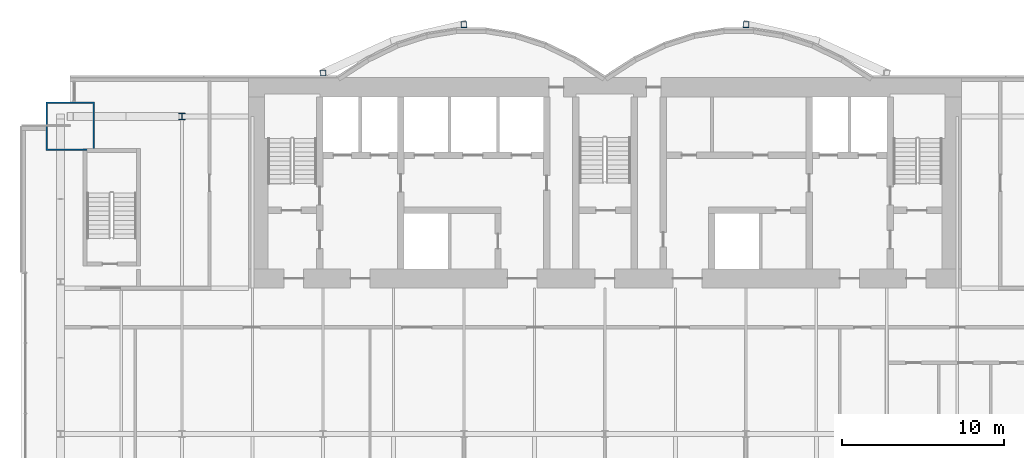
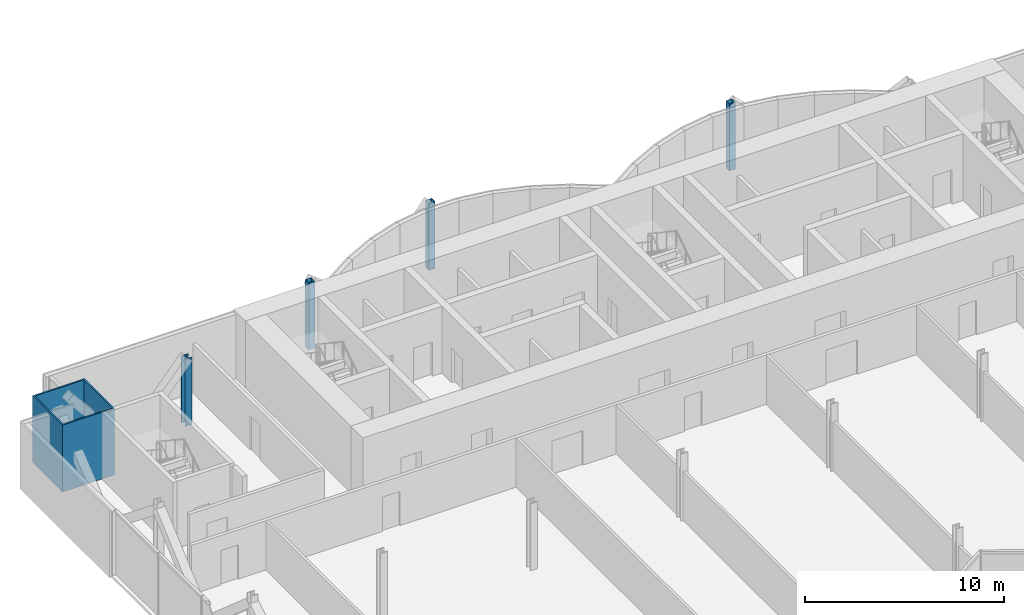
# One storey, part 2 of 21: 5 columns.
"""IFC4 building model written with IfcOpenShell, lengths in metres."""

import ifcopenshell
import ifcopenshell.guid

model = None  # the IFC model being written
_history = None  # IfcOwnerHistory: only IFC2X3 demands one
_inside = {}  # id of a spatial element -> (the spatial element, [elements in it])
_under = {}  # id of a project, library or spatial element -> (it, [spatial elements below it])
_declared = {}  # id of a project -> (the project, [libraries it declares])
_typed = {}  # id of a type object -> (the type object, [elements of that type])
_made_of = {}  # id of a material, layer set ... -> (it, [elements and type objects made of it])


def new_model(schema):
    """Start an empty IFC model of exactly this schema.

    Asked for "IFC4X3", IfcOpenShell would pick the latest addendum, in which some entities
    have other attributes; the version numbers below select the first issue.
    IFC2X3 requires an IfcOwnerHistory on every rooted entity: one is made here for all.
    """
    global model, _history
    if schema == "IFC4X3":
        model = ifcopenshell.file(schema_version=(4, 3, 0, 0))
    else:
        model = ifcopenshell.file(schema=schema)
    _inside.clear()
    _under.clear()
    _declared.clear()
    _typed.clear()
    _made_of.clear()
    _history = None
    if model.schema == "IFC2X3":
        org = make("IfcOrganization", Name="unknown")
        user = make(
            "IfcPersonAndOrganization",
            ThePerson=make("IfcPerson", FamilyName="unknown"),
            TheOrganization=org,
        )
        app = make(
            "IfcApplication",
            ApplicationDeveloper=org,
            Version="unknown",
            ApplicationFullName="unknown",
            ApplicationIdentifier="unknown",
        )
        _history = make(
            "IfcOwnerHistory",
            OwningUser=user,
            OwningApplication=app,
            ChangeAction="ADDED",
            CreationDate=0,
        )
    return model


def make(cls, **values):
    """One entity of the class cls with the attributes given. An attribute that is None is left unset."""
    return model.create_entity(
        cls, **{name: value for name, value in values.items() if value is not None}
    )


def rooted(cls, **values):
    """An entity with a GlobalId (a new one), such as an element, a storey or a relation."""
    return make(cls, GlobalId=ifcopenshell.guid.new(), OwnerHistory=_history, **values)


def si_unit(unit_type, name, prefix=None):
    """IfcSIUnit, for example si_unit("LENGTHUNIT", "METRE", prefix="MILLI")."""
    return make("IfcSIUnit", UnitType=unit_type, Prefix=prefix, Name=name)


def assignment(units):
    """IfcUnitAssignment: the units of a project."""
    return None if units is None else make("IfcUnitAssignment", Units=units)


def point(xyz):
    """IfcCartesianPoint."""
    return None if xyz is None else make("IfcCartesianPoint", Coordinates=xyz)


def direction(xyz):
    """IfcDirection."""
    return None if xyz is None else make("IfcDirection", DirectionRatios=xyz)


def frame(location, z_axis=None, x_axis=None):
    """IfcAxis2Placement3D, a coordinate frame: its origin and axes. An axis left out is left unset."""
    return make(
        "IfcAxis2Placement3D",
        Location=point(location),
        Axis=direction(z_axis),
        RefDirection=direction(x_axis),
    )


def frame_2d(location, x_axis=None):
    """IfcAxis2Placement2D, a coordinate frame in the plane: its origin and x axis."""
    return make(
        "IfcAxis2Placement2D", Location=point(location), RefDirection=direction(x_axis)
    )


def origin():
    """The frame at (0, 0, 0) with its axes left unset."""
    return frame((0.0, 0.0, 0.0))


def origin_2d():
    """The frame at (0, 0) in the plane with its x axis left unset."""
    return frame_2d((0.0, 0.0))


def place(relative_to, where):
    """IfcLocalPlacement: puts the frame where relative to a parent placement (None: the world)."""
    return make(
        "IfcLocalPlacement", PlacementRelTo=relative_to, RelativePlacement=where
    )


def context(
    kind, dimensions, precision=None, world=None, true_north=None, identifier=None
):
    """IfcGeometricRepresentationContext, for example the 3D "Model" context."""
    return make(
        "IfcGeometricRepresentationContext",
        ContextIdentifier=identifier,
        ContextType=kind,
        CoordinateSpaceDimension=dimensions,
        Precision=precision,
        WorldCoordinateSystem=world,
        TrueNorth=true_north,
    )


def subcontext(parent, identifier, kind, view, scale=None):
    """IfcGeometricRepresentationSubContext, for example "Body" below "Model"."""
    return make(
        "IfcGeometricRepresentationSubContext",
        ContextIdentifier=identifier,
        ContextType=kind,
        ParentContext=parent,
        TargetScale=scale,
        TargetView=view,
    )


def project(units=None, contexts=None):
    """IfcProject with its units and contexts."""
    return rooted(
        "IfcProject",
        Name="project",
        RepresentationContexts=contexts,
        UnitsInContext=assignment(units),
    )


def spatial(cls, under=None, at=None, **own):
    """A site, building, storey or space (cls), placed at a placement, below another one or the project."""
    s = rooted(cls, ObjectPlacement=at, **own)
    if under is not None:
        _under.setdefault(under.id(), (under, []))[1].append(s)
    return s


def profile(cls, at=None, kind="AREA", **sizes):
    """A parametric profile (cls). Its sizes go by their IFC names, for example OverallWidth=200.0."""
    return make(cls, ProfileType=kind, Position=at, **sizes)


def hollow_rectangle(**sizes):
    """IfcRectangleHollowProfileDef."""
    return profile("IfcRectangleHollowProfileDef", **sizes)


def i_section(**sizes):
    """IfcIShapeProfileDef."""
    return profile("IfcIShapeProfileDef", **sizes)


def extrude(swept, where, along, depth):
    """IfcExtrudedAreaSolid: the profile swept, set in the frame where, extruded along a direction by depth."""
    return make(
        "IfcExtrudedAreaSolid",
        SweptArea=swept,
        Position=where,
        ExtrudedDirection=direction(along),
        Depth=depth,
    )


def shape(context_of_items, identifier, shape_type, items):
    """IfcShapeRepresentation: the items that make up one representation, for example the "Body"."""
    return make(
        "IfcShapeRepresentation",
        ContextOfItems=context_of_items,
        RepresentationIdentifier=identifier,
        RepresentationType=shape_type,
        Items=items,
    )


def material(Name=None, Category=None):
    """IfcMaterial."""
    return make("IfcMaterial", Name=Name, Category=Category)


def material_profile(
    of_material, cross_section, Name=None, Category=None, Priority=None
):
    """IfcMaterialProfile: a cross section and its material."""
    return make(
        "IfcMaterialProfile",
        Name=Name,
        Material=of_material,
        Profile=cross_section,
        Priority=Priority,
        Category=Category,
    )


def profile_set(profiles, Name=None, composite=None):
    """IfcMaterialProfileSet."""
    return make(
        "IfcMaterialProfileSet",
        Name=Name,
        MaterialProfiles=profiles,
        CompositeProfile=composite,
    )


def made_of(thing, what):
    """Note that an element or type object is made of a material, layer set ...; save() writes the relation."""
    if what is not None:
        _made_of.setdefault(what.id(), (what, []))[1].append(thing)
    return thing


def type_object(cls, material=None, **own):
    """A type object (cls), such as IfcWallType, which elements share."""
    return made_of(rooted(cls, **own), material)


def element(
    cls,
    number,
    at=None,
    inside=None,
    cuts=None,
    type_object=None,
    material=None,
    context=None,
    identifier="Body",
    shape_type=None,
    held_by="IfcProductDefinitionShape",
    body=None,
    shapes=None,
    **own,
):
    """One element of the class cls, such as IfcWall. Its Tag is "e" and its number.

    at: its placement. inside: the storey or other place that contains it. cuts: it is an
    opening in that element (IfcRelVoidsElement). A single representation is given by context,
    identifier, shape_type and body (its items); several are given by shapes. held_by: the class
    of the entity that holds the representations. save() writes the other relations.
    """
    e = rooted(cls, Tag="e%d" % number, ObjectPlacement=at, **own)
    if body is not None:
        shapes = [shape(context, identifier, shape_type, body)]
    if shapes is not None:
        e.Representation = make(held_by, Representations=shapes)
    if inside is not None:
        _inside.setdefault(inside.id(), (inside, []))[1].append(e)
    if cuts is not None:
        rooted(
            "IfcRelVoidsElement", RelatingBuildingElement=cuts, RelatedOpeningElement=e
        )
    if type_object is not None:
        _typed.setdefault(type_object.id(), (type_object, []))[1].append(e)
    return made_of(e, material)


def aggregate(whole, parts):
    """IfcRelAggregates: a whole, such as a stair, and the parts it consists of."""
    return rooted("IfcRelAggregates", RelatingObject=whole, RelatedObjects=parts)


def save(model, path):
    """Write the relations noted so far, then the file.

    IfcRelAggregates (storeys below a building ...), IfcRelContainedInSpatialStructure (elements
    in a storey), IfcRelDefinesByType, IfcRelAssociatesMaterial and IfcRelDeclares: one each for
    every whole, place, type object, material and project.
    """
    for whole, parts in _under.values():
        aggregate(whole, parts)
    for where, things in _inside.values():
        rooted(
            "IfcRelContainedInSpatialStructure",
            RelatedElements=things,
            RelatingStructure=where,
        )
    for kind, things in _typed.values():
        rooted("IfcRelDefinesByType", RelatedObjects=things, RelatingType=kind)
    for what, things in _made_of.values():
        rooted("IfcRelAssociatesMaterial", RelatedObjects=things, RelatingMaterial=what)
    for by, libraries in _declared.values():
        rooted("IfcRelDeclares", RelatingContext=by, RelatedDefinitions=libraries)
    model.write(path)


model = new_model("IFC4")

# Units and contexts
model_context = context("Model", 3, precision=1e-05, world=origin(), true_north=direction((0.0, 1.0)))
body_context = subcontext(model_context, "Body", "Model", "MODEL_VIEW")
ifc_project = project(units=[si_unit("LENGTHUNIT", "METRE"), si_unit("AREAUNIT", "SQUARE_METRE"), si_unit("VOLUMEUNIT", "CUBIC_METRE"), si_unit("PLANEANGLEUNIT", "RADIAN"), si_unit("MASSUNIT", "GRAM", prefix="KILO")], contexts=[model_context])

# Site, building, storey
site_placement = place(None, origin())
site = spatial("IfcSite", under=ifc_project, at=site_placement, CompositionType="ELEMENT")
building_placement = place(site_placement, origin())
building = spatial("IfcBuilding", under=site, at=building_placement, Name="Bicima Exchange Tower", CompositionType="ELEMENT")
storey_placement = place(building_placement, frame((0.0, 0.0, 122.699951171875)))
storey = spatial("IfcBuildingStorey", under=building, at=storey_placement, Name="L26", CompositionType="ELEMENT", Elevation=122.699951171875)

# Columns
ifc_material_1 = material(Name="Steel ASTM A572 Gr 50", Category="steel")
ifc_material_profile_1 = material_profile(ifc_material_1, hollow_rectangle(XDim=3.0, YDim=3.0, WallThickness=0.090087890625, at=origin_2d()))
ifc_profile_set_1 = profile_set([ifc_material_profile_1], Name="Steel ASTM A572 Gr 50")
column_type_1 = type_object("IfcColumnType", Name="Mega column BOX 3000x3000x90", PredefinedType="COLUMN", material=ifc_profile_set_1)
column_1_placement = place(storey_placement, frame((-33.0, -3.0, 0.0), z_axis=(0.0, 0.0, 1.0), x_axis=(1.0, 0.0, 0.0)))
element("IfcColumn", 1, at=column_1_placement, inside=storey, type_object=column_type_1, Name="Mega column mega-33.0r", PredefinedType="COLUMN", context=body_context, shape_type="SweptSolid", body=[
    extrude(hollow_rectangle(XDim=3.0, YDim=3.0, WallThickness=0.090087890625, at=origin_2d()), origin(), (0.0, 0.0, 1.0), 4.10009765625),
])
ifc_material_2 = material(Name="Steel ASTM A992 Gr 50", Category="steel")
ifc_material_profile_2 = material_profile(ifc_material_2, i_section(OverallWidth=0.398681640625, OverallDepth=0.393798828125, WebThickness=0.022705078125, FlangeThickness=0.03662109375, at=origin_2d()))
ifc_profile_set_2 = profile_set([ifc_material_profile_2], Name="Steel ASTM A992 Gr 50")
column_type_2 = type_object("IfcColumnType", Name="Perimeter column W14x193", PredefinedType="COLUMN", material=ifc_profile_set_2)
column_2_placement = place(storey_placement, frame((-26.10009765625, -2.39990234375, 0.0), z_axis=(0.0, 0.0, 1.0), x_axis=(1.0, 0.0, 0.0)))
element("IfcColumn", 2, at=column_2_placement, inside=storey, type_object=column_type_2, Name="Perimeter column grav-26.1r", PredefinedType="COLUMN", context=body_context, shape_type="SweptSolid", body=[
    extrude(i_section(OverallWidth=0.398681640625, OverallDepth=0.393798828125, WebThickness=0.022705078125, FlangeThickness=0.03662109375, at=origin_2d()), origin(), (0.0, 0.0, 1.0), 4.10009765625),
])
ifc_material_profile_3 = material_profile(ifc_material_1, hollow_rectangle(XDim=0.355712890625, YDim=0.355712890625, WallThickness=0.01171875, at=origin_2d()))
ifc_profile_set_3 = profile_set([ifc_material_profile_3], Name="Steel ASTM A572 Gr 50")
column_type_3 = type_object("IfcColumnType", Name="Rear pilaster HSS14x14x1/2", PredefinedType="COLUMN", material=ifc_profile_set_3)
for number, where, z_axis, x_axis, name in (
    (3, (-8.699951171875, 3.26904296875, 0.0), (0.0, 0.0, 1.0), (1.0, 0.0, 0.0), "Rear pilaster rexo-8.7r"),
    (4, (-17.39990234375, 0.278076171875, 0.0), (0.0, 0.0, 1.0), (1.0, 0.0, 0.0), "Rear pilaster rexo-17.4r"),
    (5, (8.699951171875, 3.26904296875, 0.0), (0.0, 0.0, 1.0), (1.0, 0.0, 0.0), "Rear pilaster rexo+8.7r"),
):
    element("IfcColumn", number, at=place(storey_placement, frame(where, z_axis=z_axis, x_axis=x_axis)), inside=storey, type_object=column_type_3, Name=name, PredefinedType="COLUMN", context=body_context, shape_type="SweptSolid", body=[
        extrude(hollow_rectangle(XDim=0.355712890625, YDim=0.355712890625, WallThickness=0.01171875, at=origin_2d()), origin(), (0.0, 0.0, 1.0), 4.10009765625),
    ])

save(model, "model.ifc")
